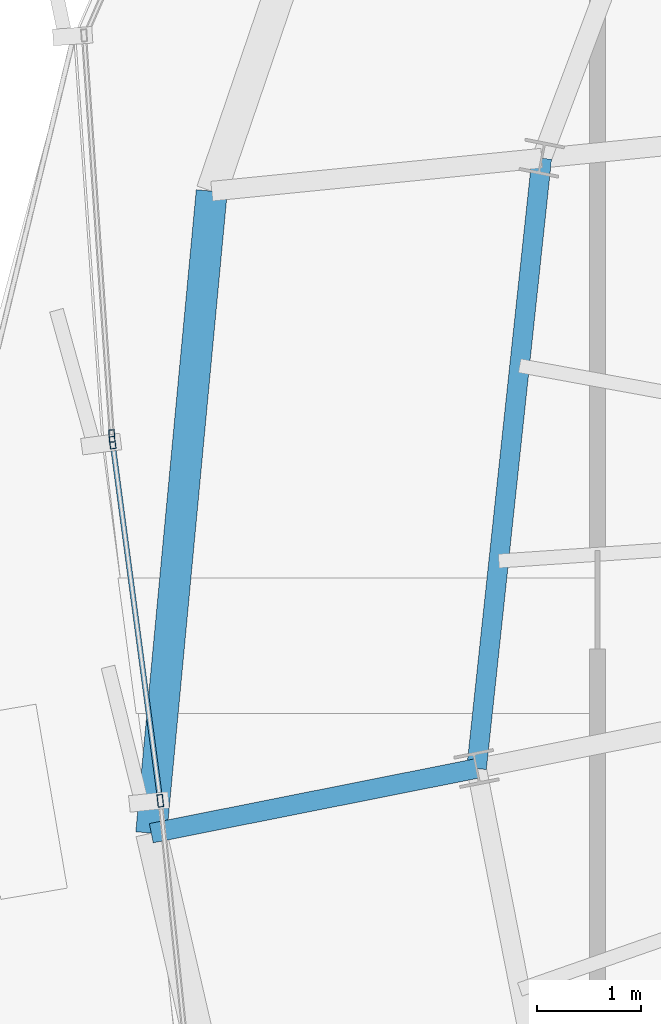
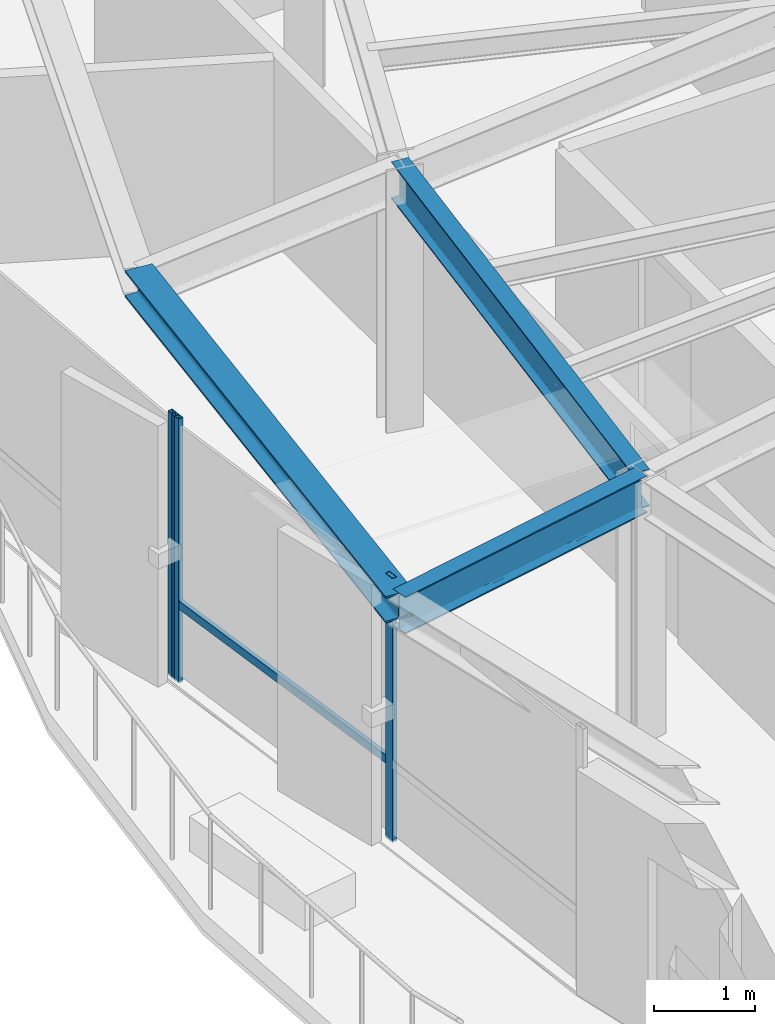
# One storey, part 9 of 32: 4 members, 3 beams, 2 elements without a shape of their own.
"""IFC4 building model written with IfcOpenShell, lengths in metres."""

import ifcopenshell
import ifcopenshell.guid

model = None  # the IFC model being written
_history = None  # IfcOwnerHistory: only IFC2X3 demands one
_inside = {}  # id of a spatial element -> (the spatial element, [elements in it])
_under = {}  # id of a project, library or spatial element -> (it, [spatial elements below it])
_declared = {}  # id of a project -> (the project, [libraries it declares])
_typed = {}  # id of a type object -> (the type object, [elements of that type])
_made_of = {}  # id of a material, layer set ... -> (it, [elements and type objects made of it])


def new_model(schema):
    """Start an empty IFC model of exactly this schema.

    Asked for "IFC4X3", IfcOpenShell would pick the latest addendum, in which some entities
    have other attributes; the version numbers below select the first issue.
    IFC2X3 requires an IfcOwnerHistory on every rooted entity: one is made here for all.
    """
    global model, _history
    if schema == "IFC4X3":
        model = ifcopenshell.file(schema_version=(4, 3, 0, 0))
    else:
        model = ifcopenshell.file(schema=schema)
    _inside.clear()
    _under.clear()
    _declared.clear()
    _typed.clear()
    _made_of.clear()
    _history = None
    if model.schema == "IFC2X3":
        org = make("IfcOrganization", Name="unknown")
        user = make(
            "IfcPersonAndOrganization",
            ThePerson=make("IfcPerson", FamilyName="unknown"),
            TheOrganization=org,
        )
        app = make(
            "IfcApplication",
            ApplicationDeveloper=org,
            Version="unknown",
            ApplicationFullName="unknown",
            ApplicationIdentifier="unknown",
        )
        _history = make(
            "IfcOwnerHistory",
            OwningUser=user,
            OwningApplication=app,
            ChangeAction="ADDED",
            CreationDate=0,
        )
    return model


def make(cls, **values):
    """One entity of the class cls with the attributes given. An attribute that is None is left unset."""
    return model.create_entity(
        cls, **{name: value for name, value in values.items() if value is not None}
    )


def rooted(cls, **values):
    """An entity with a GlobalId (a new one), such as an element, a storey or a relation."""
    return make(cls, GlobalId=ifcopenshell.guid.new(), OwnerHistory=_history, **values)


def si_unit(unit_type, name, prefix=None):
    """IfcSIUnit, for example si_unit("LENGTHUNIT", "METRE", prefix="MILLI")."""
    return make("IfcSIUnit", UnitType=unit_type, Prefix=prefix, Name=name)


def assignment(units):
    """IfcUnitAssignment: the units of a project."""
    return None if units is None else make("IfcUnitAssignment", Units=units)


def point(xyz):
    """IfcCartesianPoint."""
    return None if xyz is None else make("IfcCartesianPoint", Coordinates=xyz)


def direction(xyz):
    """IfcDirection."""
    return None if xyz is None else make("IfcDirection", DirectionRatios=xyz)


def frame(location, z_axis=None, x_axis=None):
    """IfcAxis2Placement3D, a coordinate frame: its origin and axes. An axis left out is left unset."""
    return make(
        "IfcAxis2Placement3D",
        Location=point(location),
        Axis=direction(z_axis),
        RefDirection=direction(x_axis),
    )


def frame_2d(location, x_axis=None):
    """IfcAxis2Placement2D, a coordinate frame in the plane: its origin and x axis."""
    return make(
        "IfcAxis2Placement2D", Location=point(location), RefDirection=direction(x_axis)
    )


def origin():
    """The frame at (0, 0, 0) with its axes left unset."""
    return frame((0.0, 0.0, 0.0))


def origin_2d():
    """The frame at (0, 0) in the plane with its x axis left unset."""
    return frame_2d((0.0, 0.0))


def place(relative_to, where):
    """IfcLocalPlacement: puts the frame where relative to a parent placement (None: the world)."""
    return make(
        "IfcLocalPlacement", PlacementRelTo=relative_to, RelativePlacement=where
    )


def context(
    kind, dimensions, precision=None, world=None, true_north=None, identifier=None
):
    """IfcGeometricRepresentationContext, for example the 3D "Model" context."""
    return make(
        "IfcGeometricRepresentationContext",
        ContextIdentifier=identifier,
        ContextType=kind,
        CoordinateSpaceDimension=dimensions,
        Precision=precision,
        WorldCoordinateSystem=world,
        TrueNorth=true_north,
    )


def subcontext(parent, identifier, kind, view, scale=None):
    """IfcGeometricRepresentationSubContext, for example "Body" below "Model"."""
    return make(
        "IfcGeometricRepresentationSubContext",
        ContextIdentifier=identifier,
        ContextType=kind,
        ParentContext=parent,
        TargetScale=scale,
        TargetView=view,
    )


def project(units=None, contexts=None):
    """IfcProject with its units and contexts."""
    return rooted(
        "IfcProject",
        Name="project",
        RepresentationContexts=contexts,
        UnitsInContext=assignment(units),
    )


def spatial(cls, under=None, at=None, **own):
    """A site, building, storey or space (cls), placed at a placement, below another one or the project."""
    s = rooted(cls, ObjectPlacement=at, **own)
    if under is not None:
        _under.setdefault(under.id(), (under, []))[1].append(s)
    return s


def profile(cls, at=None, kind="AREA", **sizes):
    """A parametric profile (cls). Its sizes go by their IFC names, for example OverallWidth=200.0."""
    return make(cls, ProfileType=kind, Position=at, **sizes)


def hollow_rectangle(**sizes):
    """IfcRectangleHollowProfileDef."""
    return profile("IfcRectangleHollowProfileDef", **sizes)


def i_section(**sizes):
    """IfcIShapeProfileDef."""
    return profile("IfcIShapeProfileDef", **sizes)


def extrude(swept, where, along, depth):
    """IfcExtrudedAreaSolid: the profile swept, set in the frame where, extruded along a direction by depth."""
    return make(
        "IfcExtrudedAreaSolid",
        SweptArea=swept,
        Position=where,
        ExtrudedDirection=direction(along),
        Depth=depth,
    )


def shape(context_of_items, identifier, shape_type, items):
    """IfcShapeRepresentation: the items that make up one representation, for example the "Body"."""
    return make(
        "IfcShapeRepresentation",
        ContextOfItems=context_of_items,
        RepresentationIdentifier=identifier,
        RepresentationType=shape_type,
        Items=items,
    )


def source(mapping_origin, context_of_items, identifier, shape_type, items):
    """IfcRepresentationMap: a shape defined once, which mapped items show again and again."""
    return make(
        "IfcRepresentationMap",
        MappingOrigin=mapping_origin,
        MappedRepresentation=shape(context_of_items, identifier, shape_type, items),
    )


def transform(
    local_origin,
    x_axis=None,
    y_axis=None,
    z_axis=None,
    scale=None,
    scale2=None,
    scale3=None,
    uniform=True,
):
    """IfcCartesianTransformationOperator3D, or its non-uniform kind. x_axis, y_axis, z_axis: its Axis1, 2, 3."""
    if uniform:
        return make(
            "IfcCartesianTransformationOperator3D",
            Axis1=direction(x_axis),
            Axis2=direction(y_axis),
            LocalOrigin=point(local_origin),
            Scale=scale,
            Axis3=direction(z_axis),
        )
    return make(
        "IfcCartesianTransformationOperator3DnonUniform",
        Axis1=direction(x_axis),
        Axis2=direction(y_axis),
        LocalOrigin=point(local_origin),
        Scale=scale,
        Axis3=direction(z_axis),
        Scale2=scale2,
        Scale3=scale3,
    )


def mapped(mapping_source, mapping_target):
    """IfcMappedItem: shows the shape of a source again, moved by a transform."""
    return make(
        "IfcMappedItem", MappingSource=mapping_source, MappingTarget=mapping_target
    )


def material(Name=None, Category=None):
    """IfcMaterial."""
    return make("IfcMaterial", Name=Name, Category=Category)


def layer(
    of_material, thickness, ventilated=None, Name=None, Category=None, Priority=None
):
    """IfcMaterialLayer: one layer of a wall or slab, of a material (None: an air gap)."""
    return make(
        "IfcMaterialLayer",
        Material=of_material,
        LayerThickness=thickness,
        IsVentilated=ventilated,
        Name=Name,
        Category=Category,
        Priority=Priority,
    )


def layer_set(layers, Name=None):
    """IfcMaterialLayerSet."""
    return make("IfcMaterialLayerSet", MaterialLayers=layers, LayerSetName=Name)


def material_profile(
    of_material, cross_section, Name=None, Category=None, Priority=None
):
    """IfcMaterialProfile: a cross section and its material."""
    return make(
        "IfcMaterialProfile",
        Name=Name,
        Material=of_material,
        Profile=cross_section,
        Priority=Priority,
        Category=Category,
    )


def profile_set(profiles, Name=None, composite=None):
    """IfcMaterialProfileSet."""
    return make(
        "IfcMaterialProfileSet",
        Name=Name,
        MaterialProfiles=profiles,
        CompositeProfile=composite,
    )


def made_of(thing, what):
    """Note that an element or type object is made of a material, layer set ...; save() writes the relation."""
    if what is not None:
        _made_of.setdefault(what.id(), (what, []))[1].append(thing)
    return thing


def type_object(cls, material=None, **own):
    """A type object (cls), such as IfcWallType, which elements share."""
    return made_of(rooted(cls, **own), material)


def element(
    cls,
    number,
    at=None,
    inside=None,
    cuts=None,
    type_object=None,
    material=None,
    context=None,
    identifier="Body",
    shape_type=None,
    held_by="IfcProductDefinitionShape",
    body=None,
    shapes=None,
    **own,
):
    """One element of the class cls, such as IfcWall. Its Tag is "e" and its number.

    at: its placement. inside: the storey or other place that contains it. cuts: it is an
    opening in that element (IfcRelVoidsElement). A single representation is given by context,
    identifier, shape_type and body (its items); several are given by shapes. held_by: the class
    of the entity that holds the representations. save() writes the other relations.
    """
    e = rooted(cls, Tag="e%d" % number, ObjectPlacement=at, **own)
    if body is not None:
        shapes = [shape(context, identifier, shape_type, body)]
    if shapes is not None:
        e.Representation = make(held_by, Representations=shapes)
    if inside is not None:
        _inside.setdefault(inside.id(), (inside, []))[1].append(e)
    if cuts is not None:
        rooted(
            "IfcRelVoidsElement", RelatingBuildingElement=cuts, RelatedOpeningElement=e
        )
    if type_object is not None:
        _typed.setdefault(type_object.id(), (type_object, []))[1].append(e)
    return made_of(e, material)


def aggregate(whole, parts):
    """IfcRelAggregates: a whole, such as a stair, and the parts it consists of."""
    return rooted("IfcRelAggregates", RelatingObject=whole, RelatedObjects=parts)


def save(model, path):
    """Write the relations noted so far, then the file.

    IfcRelAggregates (storeys below a building ...), IfcRelContainedInSpatialStructure (elements
    in a storey), IfcRelDefinesByType, IfcRelAssociatesMaterial and IfcRelDeclares: one each for
    every whole, place, type object, material and project.
    """
    for whole, parts in _under.values():
        aggregate(whole, parts)
    for where, things in _inside.values():
        rooted(
            "IfcRelContainedInSpatialStructure",
            RelatedElements=things,
            RelatingStructure=where,
        )
    for kind, things in _typed.values():
        rooted("IfcRelDefinesByType", RelatedObjects=things, RelatingType=kind)
    for what, things in _made_of.values():
        rooted("IfcRelAssociatesMaterial", RelatedObjects=things, RelatingMaterial=what)
    for by, libraries in _declared.values():
        rooted("IfcRelDeclares", RelatingContext=by, RelatedDefinitions=libraries)
    model.write(path)


model = new_model("IFC4")

# Units and contexts
model_context = context("Model", 3, precision=1e-05, world=origin(), true_north=direction((0.0, 1.0)))
body_context = subcontext(model_context, "Body", "Model", "MODEL_VIEW")
ifc_project = project(units=[si_unit("LENGTHUNIT", "METRE"), si_unit("AREAUNIT", "SQUARE_METRE"), si_unit("VOLUMEUNIT", "CUBIC_METRE"), si_unit("PLANEANGLEUNIT", "RADIAN"), si_unit("MASSUNIT", "GRAM", prefix="KILO"), si_unit("THERMODYNAMICTEMPERATUREUNIT", "KELVIN")], contexts=[model_context])

# Site, building, storey
site_placement = place(None, origin())
site = spatial("IfcSite", under=ifc_project, at=site_placement, CompositionType="ELEMENT")
building_placement = place(site_placement, origin())
building = spatial("IfcBuilding", under=site, at=building_placement, Name="Kethvar Cultural Tower", CompositionType="ELEMENT")
storey_placement = place(building_placement, frame((0.0, 0.0, 252.550048828125)))
storey = spatial("IfcBuildingStorey", under=building, at=storey_placement, Name="L66", CompositionType="ELEMENT", Elevation=252.550048828125)

# Beams
ifc_material_1 = material(Name="Steel S355J2", Category="steel")
ifc_material_profile_1 = material_profile(ifc_material_1, i_section(OverallWidth=0.18994140625, OverallDepth=0.449951171875, WebThickness=0.009521484375, FlangeThickness=0.0146484375, FilletRadius=0.02099609375, at=origin_2d()), Name="Steel S355J2 — IPE450")
ifc_profile_set_1 = profile_set([ifc_material_profile_1], Name="Steel S355J2 — IPE450")
beam_type_1 = type_object("IfcBeamType", Name="BM-IPE450", PredefinedType="BEAM", material=ifc_profile_set_1)
shared_shape_1 = source(origin(), body_context, "Body", "SweptSolid", [
    extrude(i_section(OverallWidth=0.18994140625, OverallDepth=0.449951171875, WebThickness=0.009521484375, FlangeThickness=0.0146484375, FilletRadius=0.02099609375, at=origin_2d()), origin(), (0.0, 0.0, 1.0), 3.2001953125),
])
beam_1_placement = place(storey_placement, frame((31.68310546875, 24.79296875, 2.98291015625), z_axis=(-0.980788453702, -0.195074368086, 0.0), x_axis=(0.195074368086, -0.980788453702, 0.0)))
element("IfcBeam", 1, at=beam_1_placement, inside=storey, type_object=beam_type_1, Name="L66 Perimeter Cantilever Beam RC-09", PredefinedType="BEAM", context=body_context, shape_type="MappedRepresentation", body=[
    mapped(shared_shape_1, transform((0.0, 0.0, 0.0), scale=1.0)),
])
shared_shape_2 = source(origin(), body_context, "Body", "SweptSolid", [
    extrude(i_section(OverallWidth=0.18994140625, OverallDepth=0.449951171875, WebThickness=0.009521484375, FlangeThickness=0.0146484375, FilletRadius=0.02099609375, at=origin_2d()), origin(), (0.0, 0.0, 1.0), 5.92236328125),
])
beam_2_placement = place(storey_placement, frame((32.3125, 30.681884765625, 2.98291015625), z_axis=(-0.106272578913, -0.994337034899, 0.0), x_axis=(0.994337034899, -0.106272578913, 0.0)))
element("IfcBeam", 2, at=beam_2_placement, inside=storey, type_object=beam_type_1, Name="L66 Column Ring Tie Beam CR-08", PredefinedType="BEAM", context=body_context, shape_type="MappedRepresentation", body=[
    mapped(shared_shape_2, transform((0.0, 0.0, 0.0), scale=1.0)),
])
ifc_material_profile_2 = material_profile(ifc_material_1, i_section(OverallWidth=0.300048828125, OverallDepth=0.320068359375, WebThickness=0.011474609375, FlangeThickness=0.0205078125, FilletRadius=0.027099609375, at=origin_2d()), Name="Steel S355J2 — HEB320")
ifc_profile_set_2 = profile_set([ifc_material_profile_2], Name="Steel S355J2 — HEB320")
beam_type_2 = type_object("IfcBeamType", Name="BM-SP320", PredefinedType="SPANDREL", material=ifc_profile_set_2)
shared_shape_3 = source(origin(), body_context, "Body", "SweptSolid", [
    extrude(i_section(OverallWidth=0.300048828125, OverallDepth=0.320068359375, WebThickness=0.011474609375, FlangeThickness=0.0205078125, FilletRadius=0.027099609375, at=origin_2d()), origin(), (0.0, 0.0, 1.0), 6.222412109375),
])
beam_3_placement = place(storey_placement, frame((29.128173828125, 30.36376953125, 3.0478515625), z_axis=(-0.093811063392, -0.995590018223, 0.0), x_axis=(0.995590018223, -0.093811063392, 0.0)))
element("IfcBeam", 3, at=beam_3_placement, inside=storey, type_object=beam_type_2, Name="L66 Perimeter Spandrel Beam SP-08", PredefinedType="SPANDREL", context=body_context, shape_type="MappedRepresentation", body=[
    mapped(shared_shape_3, transform((0.0, 0.0, 0.0), scale=1.0)),
])

# Curtain wall, member
ifc_material_2 = material(Name="Aluminium 6063-T6", Category="aluminium")
ifc_layer = layer(ifc_material_2, 0.179931640625, Name="Aluminium 6063-T6", Category="aluminium")
ifc_layer_set = layer_set([ifc_layer], Name="Aluminium 6063-T6 (180 mm)")
curtain_wall_type = type_object("IfcCurtainWallType", Name="CW-SYS-05-Z56", PredefinedType="NOTDEFINED", material=ifc_layer_set)
curtain_wall_1_placement = place(storey_placement, origin())
curtain_wall_1 = element("IfcCurtainWall", 4, at=curtain_wall_1_placement, inside=storey, type_object=curtain_wall_type, Name="L66 Curtain Wall Run 02", PredefinedType="NOTDEFINED")
ifc_material_profile_3 = material_profile(ifc_material_2, hollow_rectangle(XDim=0.054931640625, YDim=0.1201171875, WallThickness=0.00390625, at=origin_2d()), Name="Aluminium 6063-T6 — RHS120x55x4")
ifc_profile_set_3 = profile_set([ifc_material_profile_3], Name="Aluminium 6063-T6 — RHS120x55x4")
member_type_1 = type_object("IfcMemberType", Name="CW-SYS-05-Z56-MUL", PredefinedType="MULLION", material=ifc_profile_set_3)
shared_shape_4 = source(origin(), body_context, "Body", "SweptSolid", [
    extrude(hollow_rectangle(XDim=0.054931640625, YDim=0.1201171875, WallThickness=0.00390625, at=origin_2d()), origin(), (0.0, 0.0, 1.0), 3.2099609375),
])
member_1_placement = place(storey_placement, frame((28.164306640625, 28.002197265625, 0.0), z_axis=(0.0, 0.0, 1.0), x_axis=(0.99759681146, 0.069286375032, 0.0)))
member_1 = element("IfcMember", 5, at=member_1_placement, type_object=member_type_1, Name="CW-L66-R02 Mullion 7", PredefinedType="MULLION", context=body_context, shape_type="MappedRepresentation", body=[
    mapped(shared_shape_4, transform((0.0, 0.0, 0.0), scale=1.0)),
])
aggregate(curtain_wall_1, [member_1])

# Curtain wall, members
curtain_wall_2_placement = place(storey_placement, origin())
curtain_wall_2 = element("IfcCurtainWall", 6, at=curtain_wall_2_placement, inside=storey, type_object=curtain_wall_type, Name="L66 Curtain Wall Run 03", PredefinedType="NOTDEFINED")
member_2_placement = place(storey_placement, frame((28.170654296875, 27.9375, 0.0), z_axis=(0.0, 0.0, 1.0), x_axis=(0.991227078025, 0.13216988988, 0.0)))
member_2 = element("IfcMember", 7, at=member_2_placement, type_object=member_type_1, Name="CW-L66-R03 Mullion 1", PredefinedType="MULLION", context=body_context, shape_type="MappedRepresentation", body=[
    mapped(shared_shape_4, transform((0.0, 0.0, 0.0), scale=1.0)),
])
member_3_placement = place(storey_placement, frame((28.631591796875, 24.481689453125, 0.0), z_axis=(0.0, 0.0, 1.0), x_axis=(0.994643447884, 0.103365427401, 0.0)))
member_3 = element("IfcMember", 8, at=member_3_placement, type_object=member_type_1, Name="CW-L66-R03 Mullion 2", PredefinedType="MULLION", context=body_context, shape_type="MappedRepresentation", body=[
    mapped(shared_shape_4, transform((0.0, 0.0, 0.0), scale=1.0)),
])
ifc_material_profile_4 = material_profile(ifc_material_2, hollow_rectangle(XDim=0.050048828125, YDim=0.10009765625, WallThickness=0.00390625, at=origin_2d()), Name="Aluminium 6063-T6 — RHS100x50x4")
ifc_profile_set_4 = profile_set([ifc_material_profile_4], Name="Aluminium 6063-T6 — RHS100x50x4")
member_type_2 = type_object("IfcMemberType", Name="CW-SYS-05-Z56-TRN", PredefinedType="USERDEFINED", material=ifc_profile_set_4)
shared_shape_5 = source(origin(), body_context, "Body", "SweptSolid", [
    extrude(hollow_rectangle(XDim=0.050048828125, YDim=0.10009765625, WallThickness=0.00390625, at=origin_2d()), origin(), (0.0, 0.0, 1.0), 3.43994140625),
])
member_4_placement = place(storey_placement, frame((28.17138671875, 27.93359375, 0.949951171875), z_axis=(0.132154422123, -0.991229140367, 0.0), x_axis=(0.991229140367, 0.132154422123, 0.0)))
member_4 = element("IfcMember", 9, at=member_4_placement, type_object=member_type_2, Name="CW-L66-R03 Transom 1", ObjectType="TRANSOM", PredefinedType="USERDEFINED", context=body_context, shape_type="MappedRepresentation", body=[
    mapped(shared_shape_5, transform((0.0, 0.0, 0.0), scale=1.0)),
])
aggregate(curtain_wall_2, [member_2, member_3, member_4])

save(model, "model.ifc")
